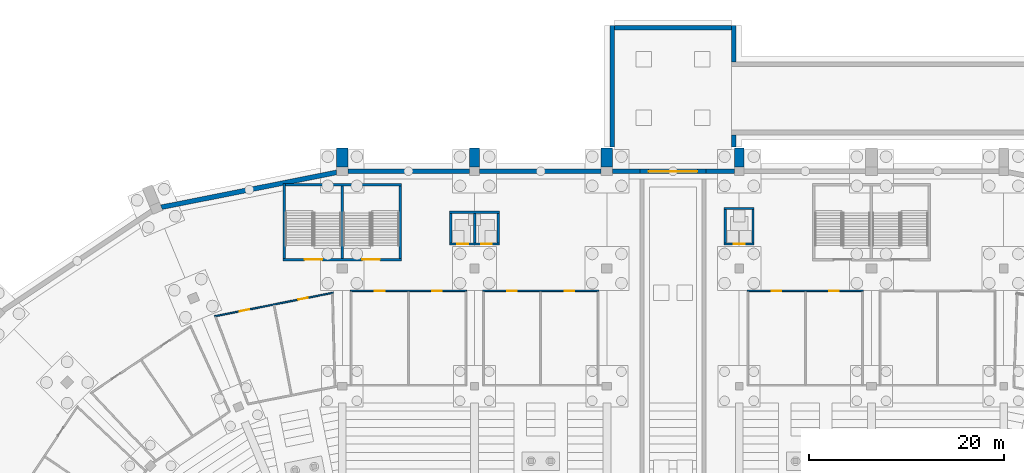
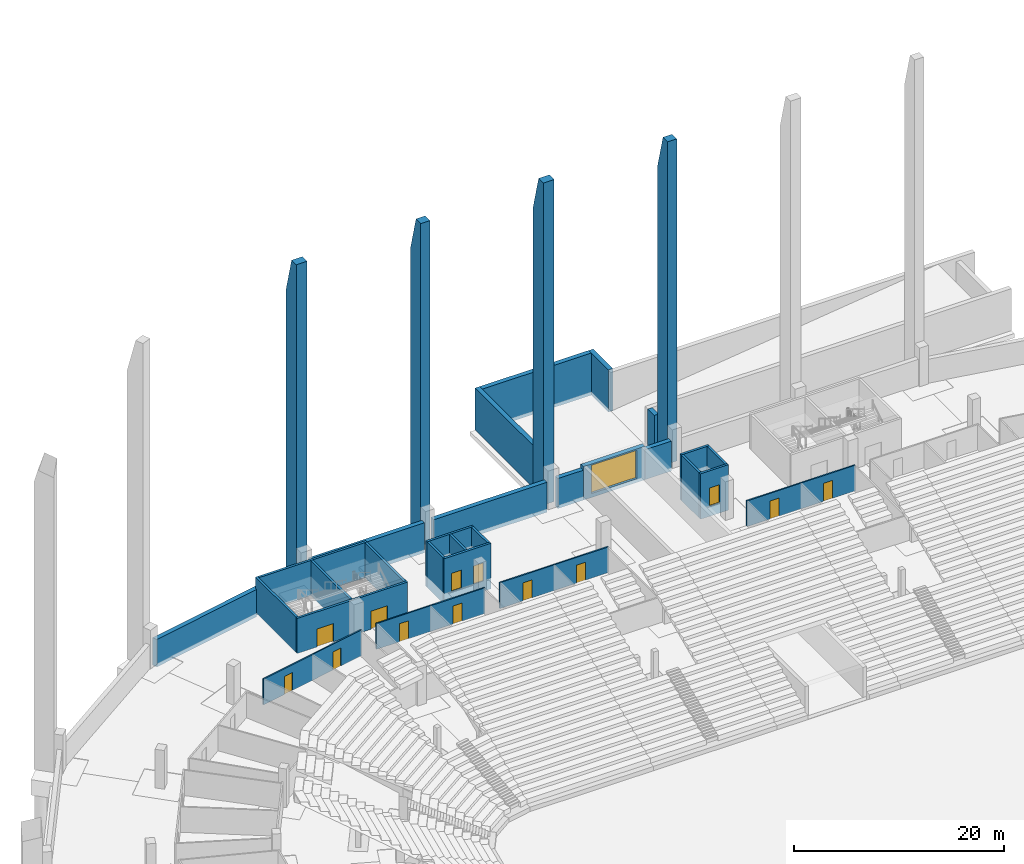
# One storey, part 36 of 115: 32 walls, 14 doors, 14 openings.
"""IFC4 building model written with IfcOpenShell, lengths in metres."""

from ifc_helpers import new_model, si_unit, direction, frame, frame_2d, origin, place, context, subcontext, project, spatial, polyline, rectangle, outline, extrude, material, layer, layer_set, type_object, element, fill, save


model = new_model("IFC4")

# Units and contexts
model_context = context("Model", 3, precision=1e-05, world=origin(), true_north=direction((0.0, 1.0)))
body_context = subcontext(model_context, "Body", "Model", "MODEL_VIEW")
ifc_project = project(units=[si_unit("LENGTHUNIT", "METRE"), si_unit("AREAUNIT", "SQUARE_METRE"), si_unit("VOLUMEUNIT", "CUBIC_METRE"), si_unit("PLANEANGLEUNIT", "RADIAN"), si_unit("MASSUNIT", "GRAM", prefix="KILO")], contexts=[model_context])

# Site, building, storey
site_placement = place(None, origin())
site = spatial("IfcSite", under=ifc_project, at=site_placement, CompositionType="ELEMENT")
building_placement = place(site_placement, origin())
building = spatial("IfcBuilding", under=site, at=building_placement, Name="Ogive Plaza Stadium", CompositionType="ELEMENT")
storey_placement = place(building_placement, frame((0.0, 0.0, -4.5)))
storey = spatial("IfcBuildingStorey", under=building, at=storey_placement, Name="B1", CompositionType="ELEMENT", Elevation=-4.5)

# Wall, openings, doors
ifc_material_1 = material(Name="Masonry blockwork", Category="masonry")
ifc_layer_1 = layer(ifc_material_1, 0.14990234375)
ifc_layer_set_1 = layer_set([ifc_layer_1], Name="Blockwork wall 150")
wall_type_1 = type_object("IfcWallType", Name="Blockwork wall 150", PredefinedType="SOLIDWALL", material=ifc_layer_set_1)
wall_1_placement = place(storey_placement, frame((-34.9287109375, 90.015380859375, 0.0), z_axis=(0.0, 0.0, 1.0), x_axis=(-0.980781768414, -0.19510797715, 0.0)))
wall_1 = element("IfcWall", 1, at=wall_1_placement, inside=storey, type_object=wall_type_1, Name="Wall B1 B31", PredefinedType="SOLIDWALL", context=body_context, shape_type="SweptSolid", body=[
    extrude(rectangle(XDim=12.435546875, YDim=0.14990234375, at=frame_2d((6.2177734375, 0.0))), origin(), (0.0, 0.0, 1.0), 3.0),
])
opening_1_placement = place(wall_1_placement, frame((2.65185546875, 0.0, 0.0)))
opening_1 = element("IfcOpeningElement", 2, at=opening_1_placement, cuts=wall_1, Name="Opening D0357", PredefinedType="OPENING", context=body_context, shape_type="SweptSolid", body=[
    extrude(rectangle(XDim=1.0, YDim=2.10009765625, at=frame_2d((0.5, 1.050048828125))), frame((0.0, 0.074951171875, 0.0), z_axis=(0.0, -1.0, 0.0), x_axis=(1.0, 0.0, 0.0)), (0.0, 0.0, 1.0), 0.14990234375),
])
opening_2_placement = place(wall_1_placement, frame((8.78369140625, 0.0, 0.0)))
opening_2 = element("IfcOpeningElement", 3, at=opening_2_placement, cuts=wall_1, Name="Opening D0358", PredefinedType="OPENING", context=body_context, shape_type="SweptSolid", body=[
    extrude(rectangle(XDim=1.0, YDim=2.10009765625, at=frame_2d((0.5, 1.050048828125))), frame((0.0, 0.074951171875, 0.0), z_axis=(0.0, -1.0, 0.0), x_axis=(1.0, 0.0, 0.0)), (0.0, 0.0, 1.0), 0.14990234375),
])
ifc_material_2 = material(Name="Steel ASTM A572 Grade 50", Category="steel")
door_type_1 = type_object("IfcDoorType", Name="Door 1000 x 2100", OperationType="SINGLE_SWING_LEFT", PredefinedType="DOOR", material=ifc_material_2)
door_1_placement = place(opening_1_placement, origin())
door_1 = element("IfcDoor", 4, at=door_1_placement, inside=storey, type_object=door_type_1, Name="Broadcast Compound Room B31 door", OperationType="SINGLE_SWING_RIGHT", OverallHeight=2.10009765625, OverallWidth=1.0, PredefinedType="DOOR", context=body_context, shape_type="SweptSolid", body=[
    extrude(rectangle(XDim=1.0, YDim=2.10009765625, at=frame_2d((0.5, 1.050048828125))), frame((0.0, 0.02490234375, 0.0), z_axis=(0.0, -1.0, 0.0), x_axis=(1.0, 0.0, 0.0)), (0.0, 0.0, 1.0), 0.050048828125),
])
fill(opening_1, door_1)
ifc_material_3 = material(Name="Steel ASTM A572 Grade 50", Category="steel")
door_type_2 = type_object("IfcDoorType", Name="Fire door FD90 1000 x 2100", OperationType="SINGLE_SWING_LEFT", PredefinedType="DOOR", material=ifc_material_3)
door_2_placement = place(opening_2_placement, origin())
door_2 = element("IfcDoor", 5, at=door_2_placement, inside=storey, type_object=door_type_2, Name="Chiller Plant B31 door", OperationType="SINGLE_SWING_LEFT", OverallHeight=2.10009765625, OverallWidth=1.0, PredefinedType="DOOR", context=body_context, shape_type="SweptSolid", body=[
    extrude(rectangle(XDim=1.0, YDim=2.10009765625, at=frame_2d((0.5, 1.050048828125))), frame((0.0, 0.02490234375, 0.0), z_axis=(0.0, -1.0, 0.0), x_axis=(1.0, 0.0, 0.0)), (0.0, 0.0, 1.0), 0.050048828125),
])
fill(opening_2, door_2)

wall_2_placement = place(storey_placement, frame((-33.175048828125, 90.199951171875, 0.0), z_axis=(0.0, 0.0, 1.0), x_axis=(1.0, 0.0, 0.0)))
wall_2 = element("IfcWall", 6, at=wall_2_placement, inside=storey, type_object=wall_type_1, Name="Wall B1 B32", PredefinedType="SOLIDWALL", context=body_context, shape_type="SweptSolid", body=[
    extrude(rectangle(XDim=11.949951171875, YDim=0.14990234375, at=frame_2d((5.97509765625, 0.0))), origin(), (0.0, 0.0, 1.0), 3.0),
])
opening_3_placement = place(wall_2_placement, frame((2.52490234375, 0.0, 0.0)))
opening_3 = element("IfcOpeningElement", 7, at=opening_3_placement, cuts=wall_2, Name="Opening D0359", PredefinedType="OPENING", context=body_context, shape_type="SweptSolid", body=[
    extrude(rectangle(XDim=1.0, YDim=2.10009765625, at=frame_2d((0.5, 1.050048828125))), frame((0.0, 0.074951171875, 0.0), z_axis=(0.0, -1.0, 0.0), x_axis=(1.0, 0.0, 0.0)), (0.0, 0.0, 1.0), 0.14990234375),
])
opening_4_placement = place(wall_2_placement, frame((8.425048828125, 0.0, 0.0)))
opening_4 = element("IfcOpeningElement", 8, at=opening_4_placement, cuts=wall_2, Name="Opening D0360", PredefinedType="OPENING", context=body_context, shape_type="SweptSolid", body=[
    extrude(rectangle(XDim=1.0, YDim=2.10009765625, at=frame_2d((0.5, 1.050048828125))), frame((0.0, 0.074951171875, 0.0), z_axis=(0.0, -1.0, 0.0), x_axis=(1.0, 0.0, 0.0)), (0.0, 0.0, 1.0), 0.14990234375),
])
door_3_placement = place(opening_3_placement, origin())
door_3 = element("IfcDoor", 9, at=door_3_placement, inside=storey, type_object=door_type_2, Name="Chiller Plant B32 door", OperationType="SINGLE_SWING_RIGHT", OverallHeight=2.10009765625, OverallWidth=1.0, PredefinedType="DOOR", context=body_context, shape_type="SweptSolid", body=[
    extrude(rectangle(XDim=1.0, YDim=2.10009765625, at=frame_2d((0.5, 1.050048828125))), frame((0.0, 0.02490234375, 0.0), z_axis=(0.0, -1.0, 0.0), x_axis=(1.0, 0.0, 0.0)), (0.0, 0.0, 1.0), 0.050048828125),
])
fill(opening_3, door_3)
door_4_placement = place(opening_4_placement, origin())
door_4 = element("IfcDoor", 10, at=door_4_placement, inside=storey, type_object=door_type_2, Name="Generator Hall B32 door", OperationType="SINGLE_SWING_LEFT", OverallHeight=2.10009765625, OverallWidth=1.0, PredefinedType="DOOR", context=body_context, shape_type="SweptSolid", body=[
    extrude(rectangle(XDim=1.0, YDim=2.10009765625, at=frame_2d((0.5, 1.050048828125))), frame((0.0, 0.02490234375, 0.0), z_axis=(0.0, -1.0, 0.0), x_axis=(1.0, 0.0, 0.0)), (0.0, 0.0, 1.0), 0.050048828125),
])
fill(opening_4, door_4)

wall_3_placement = place(storey_placement, frame((-7.625, 90.199951171875, 0.0), z_axis=(0.0, 0.0, 1.0), x_axis=(-1.0, 0.0, 0.0)))
wall_3 = element("IfcWall", 11, at=wall_3_placement, inside=storey, type_object=wall_type_1, Name="Wall B1 B33", PredefinedType="SOLIDWALL", context=body_context, shape_type="SweptSolid", body=[
    extrude(rectangle(XDim=11.949951171875, YDim=0.14990234375, at=frame_2d((5.97509765625, 0.0))), origin(), (0.0, 0.0, 1.0), 3.0),
])
opening_5_placement = place(wall_3_placement, frame((2.52490234375, 0.0, 0.0)))
opening_5 = element("IfcOpeningElement", 12, at=opening_5_placement, cuts=wall_3, Name="Opening D0361", PredefinedType="OPENING", context=body_context, shape_type="SweptSolid", body=[
    extrude(rectangle(XDim=1.0, YDim=2.10009765625, at=frame_2d((0.5, 1.050048828125))), frame((0.0, 0.074951171875, 0.0), z_axis=(0.0, -1.0, 0.0), x_axis=(1.0, 0.0, 0.0)), (0.0, 0.0, 1.0), 0.14990234375),
])
opening_6_placement = place(wall_3_placement, frame((8.425048828125, 0.0, 0.0)))
opening_6 = element("IfcOpeningElement", 13, at=opening_6_placement, cuts=wall_3, Name="Opening D0362", PredefinedType="OPENING", context=body_context, shape_type="SweptSolid", body=[
    extrude(rectangle(XDim=1.0, YDim=2.10009765625, at=frame_2d((0.5, 1.050048828125))), frame((0.0, 0.074951171875, 0.0), z_axis=(0.0, -1.0, 0.0), x_axis=(1.0, 0.0, 0.0)), (0.0, 0.0, 1.0), 0.14990234375),
])
door_5_placement = place(opening_5_placement, origin())
door_5 = element("IfcDoor", 14, at=door_5_placement, inside=storey, type_object=door_type_2, Name="Generator Hall B33 door", OperationType="SINGLE_SWING_LEFT", OverallHeight=2.10009765625, OverallWidth=1.0, PredefinedType="DOOR", context=body_context, shape_type="SweptSolid", body=[
    extrude(rectangle(XDim=1.0, YDim=2.10009765625, at=frame_2d((0.5, 1.050048828125))), frame((0.0, 0.02490234375, 0.0), z_axis=(0.0, -1.0, 0.0), x_axis=(1.0, 0.0, 0.0)), (0.0, 0.0, 1.0), 0.050048828125),
])
fill(opening_5, door_5)
door_6_placement = place(opening_6_placement, origin())
door_6 = element("IfcDoor", 15, at=door_6_placement, inside=storey, type_object=door_type_2, Name="Main Switchgear Room B33 door", OperationType="SINGLE_SWING_RIGHT", OverallHeight=2.10009765625, OverallWidth=1.0, PredefinedType="DOOR", context=body_context, shape_type="SweptSolid", body=[
    extrude(rectangle(XDim=1.0, YDim=2.10009765625, at=frame_2d((0.5, 1.050048828125))), frame((0.0, 0.02490234375, 0.0), z_axis=(0.0, -1.0, 0.0), x_axis=(1.0, 0.0, 0.0)), (0.0, 0.0, 1.0), 0.050048828125),
])
fill(opening_6, door_6)

wall_4_placement = place(storey_placement, frame((19.574951171875, 90.199951171875, 0.0), z_axis=(0.0, 0.0, 1.0), x_axis=(-1.0, 0.0, 0.0)))
wall_4 = element("IfcWall", 16, at=wall_4_placement, inside=storey, type_object=wall_type_1, Name="Wall B1 B35", PredefinedType="SOLIDWALL", context=body_context, shape_type="SweptSolid", body=[
    extrude(rectangle(XDim=11.949951171875, YDim=0.14990234375, at=frame_2d((5.97509765625, 0.0))), origin(), (0.0, 0.0, 1.0), 3.0),
])
opening_7_placement = place(wall_4_placement, frame((2.52490234375, 0.0, 0.0)))
opening_7 = element("IfcOpeningElement", 17, at=opening_7_placement, cuts=wall_4, Name="Opening D0363", PredefinedType="OPENING", context=body_context, shape_type="SweptSolid", body=[
    extrude(rectangle(XDim=1.0, YDim=2.10009765625, at=frame_2d((0.5, 1.050048828125))), frame((0.0, 0.074951171875, 0.0), z_axis=(0.0, -1.0, 0.0), x_axis=(1.0, 0.0, 0.0)), (0.0, 0.0, 1.0), 0.14990234375),
])
opening_8_placement = place(wall_4_placement, frame((8.425048828125, 0.0, 0.0)))
opening_8 = element("IfcOpeningElement", 18, at=opening_8_placement, cuts=wall_4, Name="Opening D0364", PredefinedType="OPENING", context=body_context, shape_type="SweptSolid", body=[
    extrude(rectangle(XDim=1.0, YDim=2.10009765625, at=frame_2d((0.5, 1.050048828125))), frame((0.0, 0.074951171875, 0.0), z_axis=(0.0, -1.0, 0.0), x_axis=(1.0, 0.0, 0.0)), (0.0, 0.0, 1.0), 0.14990234375),
])
door_7_placement = place(opening_7_placement, origin())
door_7 = element("IfcDoor", 19, at=door_7_placement, inside=storey, type_object=door_type_2, Name="Fire Pump and Tank Room B35 door", OperationType="SINGLE_SWING_LEFT", OverallHeight=2.10009765625, OverallWidth=1.0, PredefinedType="DOOR", context=body_context, shape_type="SweptSolid", body=[
    extrude(rectangle(XDim=1.0, YDim=2.10009765625, at=frame_2d((0.5, 1.050048828125))), frame((0.0, 0.02490234375, 0.0), z_axis=(0.0, -1.0, 0.0), x_axis=(1.0, 0.0, 0.0)), (0.0, 0.0, 1.0), 0.050048828125),
])
fill(opening_7, door_7)
door_8_placement = place(opening_8_placement, origin())
door_8 = element("IfcDoor", 20, at=door_8_placement, inside=storey, type_object=door_type_2, Name="Air Handling Plant Room B35 door", OperationType="SINGLE_SWING_RIGHT", OverallHeight=2.10009765625, OverallWidth=1.0, PredefinedType="DOOR", context=body_context, shape_type="SweptSolid", body=[
    extrude(rectangle(XDim=1.0, YDim=2.10009765625, at=frame_2d((0.5, 1.050048828125))), frame((0.0, 0.02490234375, 0.0), z_axis=(0.0, -1.0, 0.0), x_axis=(1.0, 0.0, 0.0)), (0.0, 0.0, 1.0), 0.050048828125),
])
fill(opening_8, door_8)

# Walls
ifc_material_4 = material(Name="Concrete C45/55 precast", Category="concrete")
ifc_layer_2 = layer(ifc_material_4, 0.949951171875)
ifc_material_5 = material(Name="Cast stone (reconstituted limestone)", Category="masonry")
ifc_layer_3 = layer(ifc_material_5, 0.050048828125)
ifc_layer_set_2 = layer_set([ifc_layer_2, ifc_layer_3], Name="Concrete C45/55 precast, cast stone facing")
wall_type_2 = type_object("IfcWallType", Name="Buttress pier 1000", PredefinedType="SOLIDWALL", material=ifc_layer_set_2)
for number, where, z_axis, x_axis, name in (
    (21, (-20.39990234375, 102.949951171875, 0.0), (0.0, 0.0, 1.0), (0.0, 1.0, 0.0), "BUTTRESS PIER R33"),
    (22, (6.800048828125, 102.949951171875, 0.0), (0.0, 0.0, 1.0), (0.0, 1.0, 0.0), "BUTTRESS PIER R35"),
):
    element("IfcWall", number, at=place(storey_placement, frame(where, z_axis=z_axis, x_axis=x_axis)), inside=storey, type_object=wall_type_2, Name=name, PredefinedType="SOLIDWALL", context=body_context, shape_type="SweptSolid", body=[
        extrude(outline(polyline([(0.0, 0.0), (1.949951171875, 0.0), (1.949951171875, 33.5), (0.89990234375, 37.5), (0.0, 37.5), (0.0, 0.0)])), frame((0.0, 0.5, 0.0), z_axis=(0.0, -1.0, 0.0), x_axis=(1.0, 0.0, 0.0)), (0.0, 0.0, 1.0), 1.0),
    ])
ifc_material_6 = material(Name="Concrete C45/55 precast", Category="concrete")
ifc_layer_4 = layer(ifc_material_6, 1.14990234375)
ifc_material_7 = material(Name="Cast stone (reconstituted limestone)", Category="masonry")
ifc_layer_5 = layer(ifc_material_7, 0.050048828125)
ifc_layer_set_3 = layer_set([ifc_layer_4, ifc_layer_5], Name="Concrete C45/55 precast, cast stone facing")
wall_type_3 = type_object("IfcWallType", Name="Buttress pier 1200", PredefinedType="SOLIDWALL", material=ifc_layer_set_3)
for number, where, z_axis, x_axis, name in (
    (23, (-34.0, 102.949951171875, 0.0), (0.0, 0.0, 1.0), (0.0, 1.0, 0.0), "BUTTRESS PIER R32"),
    (24, (-6.800048828125, 102.949951171875, 0.0), (0.0, 0.0, 1.0), (0.0, 1.0, 0.0), "BUTTRESS PIER R34"),
):
    element("IfcWall", number, at=place(storey_placement, frame(where, z_axis=z_axis, x_axis=x_axis)), inside=storey, type_object=wall_type_3, Name=name, PredefinedType="SOLIDWALL", context=body_context, shape_type="SweptSolid", body=[
        extrude(outline(polyline([(0.0, 0.0), (1.949951171875, 0.0), (1.949951171875, 33.5), (0.89990234375, 37.5), (0.0, 37.5), (0.0, 0.0)])), frame((0.0, 0.60009765625, 0.0), z_axis=(0.0, -1.0, 0.0), x_axis=(1.0, 0.0, 0.0)), (0.0, 0.0, 1.0), 1.199951171875),
    ])

# Wall, openings, doors
ifc_material_8 = material(Name="Concrete C40/50", Category="concrete")
ifc_layer_6 = layer(ifc_material_8, 0.25)
ifc_layer_set_4 = layer_set([ifc_layer_6], Name="Concrete C40/50")
wall_type_4 = type_object("IfcWallType", Name="Core wall 250", PredefinedType="SHEAR", material=ifc_layer_set_4)
wall_5_placement = place(storey_placement, frame((-27.925048828125, 93.425048828125, 0.0), z_axis=(0.0, 0.0, 1.0), x_axis=(-1.0, 0.0, 0.0)))
wall_5 = element("IfcWall", 25, at=wall_5_placement, inside=storey, type_object=wall_type_4, Name="Stair core R32 inner wall", PredefinedType="SHEAR", context=body_context, shape_type="SweptSolid", body=[
    extrude(rectangle(XDim=12.14990234375, YDim=0.25, at=frame_2d((6.074951171875, 0.0))), origin(), (0.0, 0.0, 1.0), 4.090087890625),
])
opening_9_placement = place(wall_5_placement, frame((2.199951171875, 0.0, 0.0)))
opening_9 = element("IfcOpeningElement", 26, at=opening_9_placement, cuts=wall_5, Name="Opening D0233", PredefinedType="OPENING", context=body_context, shape_type="SweptSolid", body=[
    extrude(rectangle(XDim=1.800048828125, YDim=2.10009765625, at=frame_2d((0.89990234375, 1.050048828125))), frame((0.0, 0.125, 0.0), z_axis=(0.0, -1.0, 0.0), x_axis=(1.0, 0.0, 0.0)), (0.0, 0.0, 1.0), 0.25),
])
opening_10_placement = place(wall_5_placement, frame((8.14990234375, 0.0, 0.0)))
opening_10 = element("IfcOpeningElement", 27, at=opening_10_placement, cuts=wall_5, Name="Opening D0234", PredefinedType="OPENING", context=body_context, shape_type="SweptSolid", body=[
    extrude(rectangle(XDim=1.800048828125, YDim=2.10009765625, at=frame_2d((0.89990234375, 1.050048828125))), frame((0.0, 0.125, 0.0), z_axis=(0.0, -1.0, 0.0), x_axis=(1.0, 0.0, 0.0)), (0.0, 0.0, 1.0), 0.25),
])
ifc_material_9 = material(Name="Steel ASTM A572 Grade 50", Category="steel")
door_type_3 = type_object("IfcDoorType", Name="Fire door FD90 pair 1800 x 2100", OperationType="DOUBLE_DOOR_SINGLE_SWING", PredefinedType="DOOR", material=ifc_material_9)
door_9_placement = place(opening_9_placement, origin())
door_9 = element("IfcDoor", 28, at=door_9_placement, inside=storey, type_object=door_type_3, Name="Exit stair R32A door B1", OperationType="DOUBLE_DOOR_SINGLE_SWING", OverallHeight=2.10009765625, OverallWidth=1.800048828125, PredefinedType="DOOR", context=body_context, shape_type="SweptSolid", body=[
    extrude(rectangle(XDim=1.800048828125, YDim=2.10009765625, at=frame_2d((0.89990234375, 1.050048828125))), frame((0.0, 0.02490234375, 0.0), z_axis=(0.0, -1.0, 0.0), x_axis=(1.0, 0.0, 0.0)), (0.0, 0.0, 1.0), 0.050048828125),
])
fill(opening_9, door_9)
door_10_placement = place(opening_10_placement, origin())
door_10 = element("IfcDoor", 29, at=door_10_placement, inside=storey, type_object=door_type_3, Name="Exit stair R32B door B1", OperationType="DOUBLE_DOOR_SINGLE_SWING", OverallHeight=2.10009765625, OverallWidth=1.800048828125, PredefinedType="DOOR", context=body_context, shape_type="SweptSolid", body=[
    extrude(rectangle(XDim=1.800048828125, YDim=2.10009765625, at=frame_2d((0.89990234375, 1.050048828125))), frame((0.0, 0.02490234375, 0.0), z_axis=(0.0, -1.0, 0.0), x_axis=(1.0, 0.0, 0.0)), (0.0, 0.0, 1.0), 0.050048828125),
])
fill(opening_10, door_10)

# Walls
wall_6_placement = place(storey_placement, frame((-27.925048828125, 101.135009765625, 0.0), z_axis=(0.0, 0.0, 1.0), x_axis=(-1.0, 0.0, 0.0)))
element("IfcWall", 30, at=wall_6_placement, inside=storey, type_object=wall_type_4, Name="Stair core R32 outer wall", PredefinedType="SHEAR", context=body_context, shape_type="SweptSolid", body=[
    extrude(rectangle(XDim=12.14990234375, YDim=0.25, at=frame_2d((6.074951171875, 0.0))), origin(), (0.0, 0.0, 1.0), 4.090087890625),
])
wall_7_placement = place(storey_placement, frame((-28.050048828125, 93.550048828125, 0.0), z_axis=(0.0, 0.0, 1.0), x_axis=(0.0, 1.0, 0.0)))
element("IfcWall", 31, at=wall_7_placement, inside=storey, type_object=wall_type_4, Name="Stair core R32 side wall", PredefinedType="SHEAR", context=body_context, shape_type="SweptSolid", body=[
    extrude(rectangle(XDim=7.4599609375, YDim=0.25, at=frame_2d((3.72998046875, 0.0))), origin(), (0.0, 0.0, 1.0), 4.090087890625),
])
wall_8_placement = place(storey_placement, frame((-39.949951171875, 93.550048828125, 0.0), z_axis=(0.0, 0.0, 1.0), x_axis=(0.0, 1.0, 0.0)))
element("IfcWall", 32, at=wall_8_placement, inside=storey, type_object=wall_type_4, Name="Stair core R32 side wall", PredefinedType="SHEAR", context=body_context, shape_type="SweptSolid", body=[
    extrude(rectangle(XDim=7.7099609375, YDim=0.25, at=frame_2d((3.85498046875, 0.0))), origin(), (0.0, 0.0, 1.0), 4.090087890625),
])
wall_9_placement = place(storey_placement, frame((-34.0, 93.550048828125, 0.0), z_axis=(0.0, 0.0, 1.0), x_axis=(0.0, 1.0, 0.0)))
element("IfcWall", 33, at=wall_9_placement, inside=storey, type_object=wall_type_4, Name="Stair core R32 centre wall", PredefinedType="SHEAR", context=body_context, shape_type="SweptSolid", body=[
    extrude(rectangle(XDim=7.4599609375, YDim=0.25, at=frame_2d((3.72998046875, 0.0))), origin(), (0.0, 0.0, 1.0), 4.090087890625),
])

# Wall, openings, doors
ifc_material_10 = material(Name="Concrete C40/50", Category="concrete")
ifc_layer_7 = layer(ifc_material_10, 0.25)
ifc_layer_set_5 = layer_set([ifc_layer_7], Name="Concrete C40/50")
wall_type_5 = type_object("IfcWallType", Name="Core wall 250 A", PredefinedType="SHEAR", material=ifc_layer_set_5)
wall_10_placement = place(storey_placement, frame((-17.824951171875, 95.02490234375, -1.199951171875), z_axis=(0.0, 0.0, 1.0), x_axis=(-1.0, 0.0, 0.0)))
wall_10 = element("IfcWall", 34, at=wall_10_placement, inside=storey, type_object=wall_type_5, Name="Lift core LP33 landing wall", PredefinedType="SHEAR", context=body_context, shape_type="SweptSolid", body=[
    extrude(rectangle(XDim=5.150146484375, YDim=0.25, at=frame_2d((2.5751953125, 0.0))), origin(), (0.0, 0.0, 1.0), 5.2900390625),
])
opening_11_placement = place(wall_10_placement, frame((0.800048828125, 0.0, 1.199951171875)))
opening_11 = element("IfcOpeningElement", 35, at=opening_11_placement, cuts=wall_10, Name="Opening LD070", PredefinedType="OPENING", context=body_context, shape_type="SweptSolid", body=[
    extrude(rectangle(XDim=1.10009765625, YDim=2.10009765625, at=frame_2d((0.550048828125, 1.050048828125))), frame((0.0, 0.125, 0.0), z_axis=(0.0, -1.0, 0.0), x_axis=(1.0, 0.0, 0.0)), (0.0, 0.0, 1.0), 0.25),
])
opening_12_placement = place(wall_10_placement, frame((3.25, 0.0, 1.199951171875)))
opening_12 = element("IfcOpeningElement", 36, at=opening_12_placement, cuts=wall_10, Name="Opening LD071", PredefinedType="OPENING", context=body_context, shape_type="SweptSolid", body=[
    extrude(rectangle(XDim=1.10009765625, YDim=2.10009765625, at=frame_2d((0.550048828125, 1.050048828125))), frame((0.0, 0.125, 0.0), z_axis=(0.0, -1.0, 0.0), x_axis=(1.0, 0.0, 0.0)), (0.0, 0.0, 1.0), 0.25),
])
ifc_material_11 = material(Name="Steel ASTM A572 Grade 50", Category="steel")
door_type_4 = type_object("IfcDoorType", Name="Landing door 1100 x 2100", OperationType="SLIDING_TO_LEFT", PredefinedType="DOOR", material=ifc_material_11)
door_11_placement = place(opening_11_placement, origin())
door_11 = element("IfcDoor", 37, at=door_11_placement, inside=storey, type_object=door_type_4, Name="Lift landing door LP33 B1", OperationType="SLIDING_TO_LEFT", OverallHeight=2.10009765625, OverallWidth=1.10009765625, PredefinedType="DOOR", context=body_context, shape_type="SweptSolid", body=[
    extrude(rectangle(XDim=1.10009765625, YDim=2.10009765625, at=frame_2d((0.550048828125, 1.050048828125))), frame((0.0, 0.02490234375, 0.0), z_axis=(0.0, -1.0, 0.0), x_axis=(1.0, 0.0, 0.0)), (0.0, 0.0, 1.0), 0.050048828125),
])
fill(opening_11, door_11)
door_12_placement = place(opening_12_placement, origin())
door_12 = element("IfcDoor", 38, at=door_12_placement, inside=storey, type_object=door_type_4, Name="Lift landing door LP33 B1", OperationType="SLIDING_TO_LEFT", OverallHeight=2.10009765625, OverallWidth=1.10009765625, PredefinedType="DOOR", context=body_context, shape_type="SweptSolid", body=[
    extrude(rectangle(XDim=1.10009765625, YDim=2.10009765625, at=frame_2d((0.550048828125, 1.050048828125))), frame((0.0, 0.02490234375, 0.0), z_axis=(0.0, -1.0, 0.0), x_axis=(1.0, 0.0, 0.0)), (0.0, 0.0, 1.0), 0.050048828125),
])
fill(opening_12, door_12)

# Walls
wall_11_placement = place(storey_placement, frame((-17.824951171875, 98.27490234375, -1.199951171875), z_axis=(0.0, 0.0, 1.0), x_axis=(-1.0, 0.0, 0.0)))
element("IfcWall", 39, at=wall_11_placement, inside=storey, type_object=wall_type_5, Name="Lift core LP33 rear wall", PredefinedType="SHEAR", context=body_context, shape_type="SweptSolid", body=[
    extrude(rectangle(XDim=5.150146484375, YDim=0.25, at=frame_2d((2.5751953125, 0.0))), origin(), (0.0, 0.0, 1.0), 5.2900390625),
])
for number, where, z_axis, x_axis, name in (
    (40, (-17.949951171875, 95.14990234375, -1.199951171875), (0.0, 0.0, 1.0), (0.0, 1.0, 0.0), "Lift core LP33 side wall"),
    (41, (-22.85009765625, 95.14990234375, -1.199951171875), (0.0, 0.0, 1.0), (0.0, 1.0, 0.0), "Lift core LP33 side wall"),
    (42, (-20.39990234375, 95.14990234375, -1.199951171875), (0.0, 0.0, 1.0), (0.0, 1.0, 0.0), "Lift core LP33 centre wall"),
):
    element("IfcWall", number, at=place(storey_placement, frame(where, z_axis=z_axis, x_axis=x_axis)), inside=storey, type_object=wall_type_5, Name=name, PredefinedType="SHEAR", context=body_context, shape_type="SweptSolid", body=[
        extrude(rectangle(XDim=3.0, YDim=0.25, at=frame_2d((1.5, 0.0))), origin(), (0.0, 0.0, 1.0), 5.2900390625),
    ])

# Wall, opening, door
wall_12_placement = place(storey_placement, frame((8.35009765625, 95.02490234375, -1.199951171875), z_axis=(0.0, 0.0, 1.0), x_axis=(-1.0, 0.0, 0.0)))
wall_12 = element("IfcWall", 43, at=wall_12_placement, inside=storey, type_object=wall_type_5, Name="Lift core LS35 landing wall", PredefinedType="SHEAR", context=body_context, shape_type="SweptSolid", body=[
    extrude(rectangle(XDim=3.10009765625, YDim=0.25, at=frame_2d((1.550048828125, 0.0))), origin(), (0.0, 0.0, 1.0), 5.2900390625),
])
opening_13_placement = place(wall_12_placement, frame((1.0, 0.0, 1.199951171875)))
opening_13 = element("IfcOpeningElement", 44, at=opening_13_placement, cuts=wall_12, Name="Opening LD084", PredefinedType="OPENING", context=body_context, shape_type="SweptSolid", body=[
    extrude(rectangle(XDim=1.10009765625, YDim=2.10009765625, at=frame_2d((0.550048828125, 1.050048828125))), frame((0.0, 0.125, 0.0), z_axis=(0.0, -1.0, 0.0), x_axis=(1.0, 0.0, 0.0)), (0.0, 0.0, 1.0), 0.25),
])
door_13_placement = place(opening_13_placement, origin())
door_13 = element("IfcDoor", 45, at=door_13_placement, inside=storey, type_object=door_type_4, Name="Lift landing door LS35 B1", OperationType="SLIDING_TO_LEFT", OverallHeight=2.10009765625, OverallWidth=1.10009765625, PredefinedType="DOOR", context=body_context, shape_type="SweptSolid", body=[
    extrude(rectangle(XDim=1.10009765625, YDim=2.10009765625, at=frame_2d((0.550048828125, 1.050048828125))), frame((0.0, 0.02490234375, 0.0), z_axis=(0.0, -1.0, 0.0), x_axis=(1.0, 0.0, 0.0)), (0.0, 0.0, 1.0), 0.050048828125),
])
fill(opening_13, door_13)

# Walls
wall_13_placement = place(storey_placement, frame((8.35009765625, 98.675048828125, -1.199951171875), z_axis=(0.0, 0.0, 1.0), x_axis=(-1.0, 0.0, 0.0)))
element("IfcWall", 46, at=wall_13_placement, inside=storey, type_object=wall_type_5, Name="Lift core LS35 rear wall", PredefinedType="SHEAR", context=body_context, shape_type="SweptSolid", body=[
    extrude(rectangle(XDim=3.10009765625, YDim=0.25, at=frame_2d((1.550048828125, 0.0))), origin(), (0.0, 0.0, 1.0), 5.2900390625),
])
for number, where, z_axis, x_axis, name in (
    (47, (8.22509765625, 95.14990234375, -1.199951171875), (0.0, 0.0, 1.0), (0.0, 1.0, 0.0), "Lift core LS35 side wall"),
    (48, (5.375, 95.14990234375, -1.199951171875), (0.0, 0.0, 1.0), (0.0, 1.0, 0.0), "Lift core LS35 side wall"),
):
    element("IfcWall", number, at=place(storey_placement, frame(where, z_axis=z_axis, x_axis=x_axis)), inside=storey, type_object=wall_type_5, Name=name, PredefinedType="SHEAR", context=body_context, shape_type="SweptSolid", body=[
        extrude(rectangle(XDim=3.400146484375, YDim=0.25, at=frame_2d((1.7001953125, 0.0))), origin(), (0.0, 0.0, 1.0), 5.2900390625),
    ])
ifc_material_12 = material(Name="Concrete C40/50", Category="concrete")
ifc_layer_8 = layer(ifc_material_12, 0.5)
ifc_layer_set_6 = layer_set([ifc_layer_8], Name="Concrete C40/50")
wall_type_6 = type_object("IfcWallType", Name="RC retaining wall 500", PredefinedType="SOLIDWALL", material=ifc_layer_set_6)
for number, where, z_axis, x_axis, name in (
    (49, (-33.39990234375, 102.5, -0.39990234375), (0.0, 0.0, 1.0), (1.0, 0.0, 0.0), "Retaining wall B32"),
    (50, (-19.89990234375, 102.5, -0.39990234375), (0.0, 0.0, 1.0), (1.0, 0.0, 0.0), "Retaining wall B33"),
):
    element("IfcWall", number, at=place(storey_placement, frame(where, z_axis=z_axis, x_axis=x_axis)), inside=storey, type_object=wall_type_6, Name=name, PredefinedType="SOLIDWALL", context=body_context, shape_type="SweptSolid", body=[
        extrude(rectangle(XDim=12.5, YDim=0.5, at=frame_2d((6.25, 0.0))), origin(), (0.0, 0.0, 1.0), 3.489990234375),
    ])
wall_14_placement = place(storey_placement, frame((-6.199951171875, 102.5, -0.39990234375), z_axis=(0.0, 0.0, 1.0), x_axis=(1.0, 0.0, 0.0)))
element("IfcWall", 51, at=wall_14_placement, inside=storey, type_object=wall_type_6, Name="Retaining wall B34.1", PredefinedType="SOLIDWALL", context=body_context, shape_type="SweptSolid", body=[
    extrude(rectangle(XDim=2.800048828125, YDim=0.5, at=frame_2d((1.39990234375, 0.0))), origin(), (0.0, 0.0, 1.0), 3.489990234375),
])
wall_15_placement = place(storey_placement, frame((3.39990234375, 102.5, -0.39990234375), z_axis=(0.0, 0.0, 1.0), x_axis=(1.0, 0.0, 0.0)))
element("IfcWall", 52, at=wall_15_placement, inside=storey, type_object=wall_type_6, Name="Retaining wall B34.2", PredefinedType="SOLIDWALL", context=body_context, shape_type="SweptSolid", body=[
    extrude(rectangle(XDim=2.900146484375, YDim=0.5, at=frame_2d((1.4501953125, 0.0))), origin(), (0.0, 0.0, 1.0), 3.489990234375),
])
ifc_material_13 = material(Name="Concrete C40/50", Category="concrete")
ifc_layer_9 = layer(ifc_material_13, 0.5)
ifc_layer_set_7 = layer_set([ifc_layer_9], Name="Concrete C40/50")
wall_type_7 = type_object("IfcWallType", Name="RC retaining wall 500 A", PredefinedType="SOLIDWALL", material=ifc_layer_set_7)
wall_16_placement = place(storey_placement, frame((0.0, 0.0, -0.39990234375)))
element("IfcWall", 53, at=wall_16_placement, inside=storey, type_object=wall_type_7, Name="Retaining wall B31", PredefinedType="SOLIDWALL", context=body_context, shape_type="SweptSolid", body=[
    extrude(outline(polyline([(-52.488525390625, 98.572509765625), (-40.074951171875, 101.04150390625), (-40.074951171875, 101.260009765625), (-38.97705078125, 101.260009765625), (-34.60009765625, 102.130615234375), (-34.60009765625, 102.630615234375), (-52.679931640625, 99.034423828125), (-52.488525390625, 98.572509765625)])), origin(), (0.0, 0.0, 1.0), 3.18994140625),
])

# Wall, opening, door
ifc_material_14 = material(Name="Concrete C40/50", Category="concrete")
ifc_layer_10 = layer(ifc_material_14, 0.5)
ifc_layer_set_8 = layer_set([ifc_layer_10], Name="Concrete C40/50")
wall_type_8 = type_object("IfcWallType", Name="RC retaining wall 500 B", PredefinedType="SOLIDWALL", material=ifc_layer_set_8)
wall_17_placement = place(storey_placement, frame((-3.39990234375, 102.5, -0.39990234375), z_axis=(0.0, 0.0, 1.0), x_axis=(1.0, 0.0, 0.0)))
wall_17 = element("IfcWall", 54, at=wall_17_placement, inside=storey, type_object=wall_type_8, Name="Retaining wall B34", PredefinedType="SOLIDWALL", context=body_context, shape_type="SweptSolid", body=[
    extrude(rectangle(XDim=6.7998046875, YDim=0.5, at=frame_2d((3.39990234375, 0.0))), origin(), (0.0, 0.0, 1.0), 3.89990234375),
])
opening_14_placement = place(wall_17_placement, frame((0.89990234375, 0.0, 0.449951171875)))
opening_14 = element("IfcOpeningElement", 55, at=opening_14_placement, cuts=wall_17, Name="Opening D0034", PredefinedType="OPENING", context=body_context, shape_type="SweptSolid", body=[
    extrude(rectangle(XDim=5.0, YDim=3.300048828125, at=frame_2d((2.5, 1.64990234375))), frame((0.0, 0.260009765625, 0.0), z_axis=(0.0, -1.0, 0.0), x_axis=(1.0, 0.0, 0.0)), (0.0, 0.0, 1.0), 0.52001953125),
])
ifc_material_15 = material(Name="Galvanised steel", Category="steel")
door_type_5 = type_object("IfcDoorType", Name="Service vehicle door 5000 x 3300", OperationType="ROLLINGUP", PredefinedType="DOOR", material=ifc_material_15)
door_14_placement = place(opening_14_placement, origin())
door_14 = element("IfcDoor", 56, at=door_14_placement, inside=storey, type_object=door_type_5, Name="Service vehicle door", OperationType="ROLLINGUP", OverallHeight=3.300048828125, OverallWidth=5.0, PredefinedType="DOOR", context=body_context, shape_type="SweptSolid", body=[
    extrude(rectangle(XDim=5.0, YDim=3.300048828125, at=frame_2d((2.5, 1.64990234375))), frame((0.0, 0.02490234375, 0.0), z_axis=(0.0, -1.0, 0.0), x_axis=(1.0, 0.0, 0.0)), (0.0, 0.0, 1.0), 0.050048828125),
])
fill(opening_14, door_14)

# Walls
ifc_material_16 = material(Name="Concrete C35/45", Category="concrete")
ifc_layer_11 = layer(ifc_material_16, 0.5)
ifc_layer_set_9 = layer_set([ifc_layer_11], Name="Concrete C35/45")
wall_type_9 = type_object("IfcWallType", Name="Retaining wall 500", PredefinedType="STANDARD", material=ifc_layer_set_9)
wall_18_placement = place(storey_placement, frame((-6.25, 105.0, -0.39990234375), z_axis=(0.0, 0.0, 1.0), x_axis=(0.0, 1.0, 0.0)))
element("IfcWall", 57, at=wall_18_placement, inside=storey, type_object=wall_type_9, Name="Retaining wall 1", PredefinedType="STANDARD", context=body_context, shape_type="SweptSolid", body=[
    extrude(rectangle(XDim=12.5, YDim=0.5, at=frame_2d((6.25, 0.0))), origin(), (0.0, 0.0, 1.0), 4.89990234375),
])
wall_19_placement = place(storey_placement, frame((-6.0, 117.25, -0.39990234375), z_axis=(0.0, 0.0, 1.0), x_axis=(1.0, 0.0, 0.0)))
element("IfcWall", 58, at=wall_19_placement, inside=storey, type_object=wall_type_9, Name="Retaining wall 2", PredefinedType="STANDARD", context=body_context, shape_type="SweptSolid", body=[
    extrude(rectangle(XDim=12.0, YDim=0.5, at=frame_2d((6.0, 0.0))), origin(), (0.0, 0.0, 1.0), 4.89990234375),
])
wall_20_placement = place(storey_placement, frame((6.25, 105.0, -0.39990234375), z_axis=(0.0, 0.0, 1.0), x_axis=(0.0, 1.0, 0.0)))
element("IfcWall", 59, at=wall_20_placement, inside=storey, type_object=wall_type_9, Name="Retaining wall 3", PredefinedType="STANDARD", context=body_context, shape_type="SweptSolid", body=[
    extrude(rectangle(XDim=1.25, YDim=0.5, at=frame_2d((0.625, 0.0))), origin(), (0.0, 0.0, 1.0), 4.89990234375),
])
wall_21_placement = place(storey_placement, frame((6.25, 113.75, -0.39990234375), z_axis=(0.0, 0.0, 1.0), x_axis=(0.0, 1.0, 0.0)))
element("IfcWall", 60, at=wall_21_placement, inside=storey, type_object=wall_type_9, Name="Retaining wall 4", PredefinedType="STANDARD", context=body_context, shape_type="SweptSolid", body=[
    extrude(rectangle(XDim=3.75, YDim=0.5, at=frame_2d((1.875, 0.0))), origin(), (0.0, 0.0, 1.0), 4.89990234375),
])

save(model, "model.ifc")
